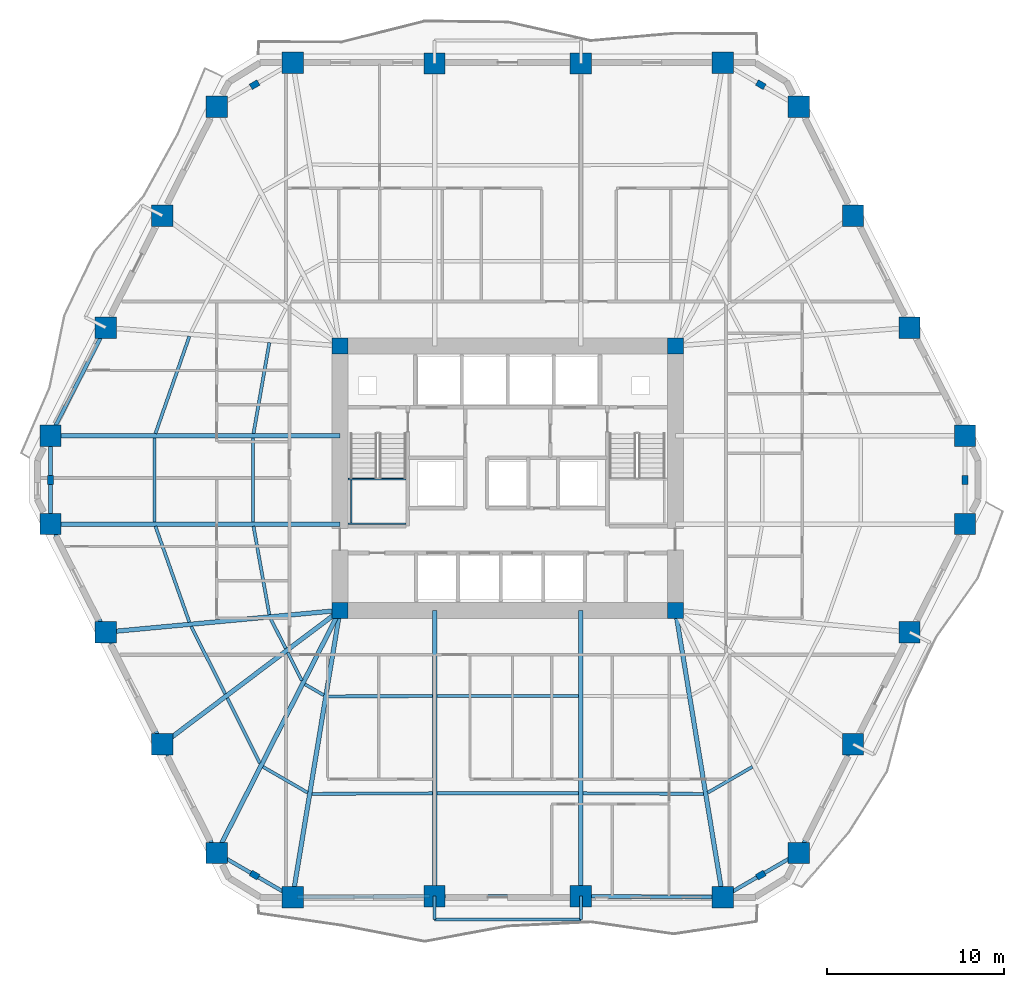
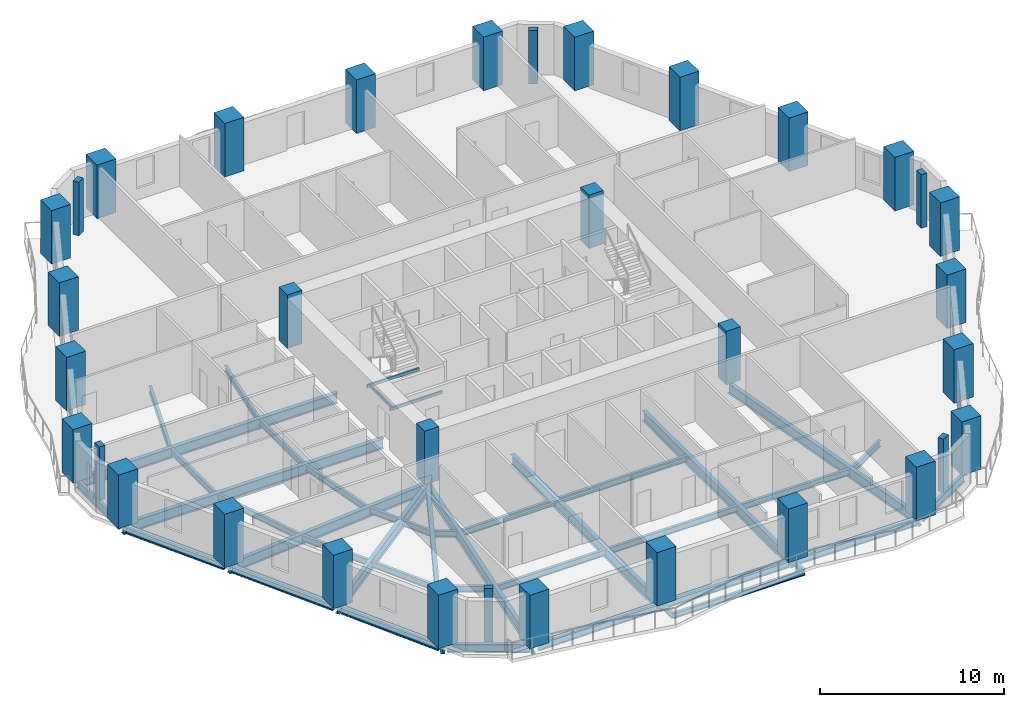
# One storey, part 1 of 12: 44 beams, 34 columns.
"""IFC4 building model written with IfcOpenShell, lengths in metres."""

import ifcopenshell
import ifcopenshell.guid

model = None  # the IFC model being written
_history = None  # IfcOwnerHistory: only IFC2X3 demands one
_inside = {}  # id of a spatial element -> (the spatial element, [elements in it])
_under = {}  # id of a project, library or spatial element -> (it, [spatial elements below it])
_declared = {}  # id of a project -> (the project, [libraries it declares])
_typed = {}  # id of a type object -> (the type object, [elements of that type])
_made_of = {}  # id of a material, layer set ... -> (it, [elements and type objects made of it])


def new_model(schema):
    """Start an empty IFC model of exactly this schema.

    Asked for "IFC4X3", IfcOpenShell would pick the latest addendum, in which some entities
    have other attributes; the version numbers below select the first issue.
    IFC2X3 requires an IfcOwnerHistory on every rooted entity: one is made here for all.
    """
    global model, _history
    if schema == "IFC4X3":
        model = ifcopenshell.file(schema_version=(4, 3, 0, 0))
    else:
        model = ifcopenshell.file(schema=schema)
    _inside.clear()
    _under.clear()
    _declared.clear()
    _typed.clear()
    _made_of.clear()
    _history = None
    if model.schema == "IFC2X3":
        org = make("IfcOrganization", Name="unknown")
        user = make(
            "IfcPersonAndOrganization",
            ThePerson=make("IfcPerson", FamilyName="unknown"),
            TheOrganization=org,
        )
        app = make(
            "IfcApplication",
            ApplicationDeveloper=org,
            Version="unknown",
            ApplicationFullName="unknown",
            ApplicationIdentifier="unknown",
        )
        _history = make(
            "IfcOwnerHistory",
            OwningUser=user,
            OwningApplication=app,
            ChangeAction="ADDED",
            CreationDate=0,
        )
    return model


def make(cls, **values):
    """One entity of the class cls with the attributes given. An attribute that is None is left unset."""
    return model.create_entity(
        cls, **{name: value for name, value in values.items() if value is not None}
    )


def rooted(cls, **values):
    """An entity with a GlobalId (a new one), such as an element, a storey or a relation."""
    return make(cls, GlobalId=ifcopenshell.guid.new(), OwnerHistory=_history, **values)


def si_unit(unit_type, name, prefix=None):
    """IfcSIUnit, for example si_unit("LENGTHUNIT", "METRE", prefix="MILLI")."""
    return make("IfcSIUnit", UnitType=unit_type, Prefix=prefix, Name=name)


def assignment(units):
    """IfcUnitAssignment: the units of a project."""
    return None if units is None else make("IfcUnitAssignment", Units=units)


def point(xyz):
    """IfcCartesianPoint."""
    return None if xyz is None else make("IfcCartesianPoint", Coordinates=xyz)


def direction(xyz):
    """IfcDirection."""
    return None if xyz is None else make("IfcDirection", DirectionRatios=xyz)


def frame(location, z_axis=None, x_axis=None):
    """IfcAxis2Placement3D, a coordinate frame: its origin and axes. An axis left out is left unset."""
    return make(
        "IfcAxis2Placement3D",
        Location=point(location),
        Axis=direction(z_axis),
        RefDirection=direction(x_axis),
    )


def frame_2d(location, x_axis=None):
    """IfcAxis2Placement2D, a coordinate frame in the plane: its origin and x axis."""
    return make(
        "IfcAxis2Placement2D", Location=point(location), RefDirection=direction(x_axis)
    )


def origin():
    """The frame at (0, 0, 0) with its axes left unset."""
    return frame((0.0, 0.0, 0.0))


def origin_2d():
    """The frame at (0, 0) in the plane with its x axis left unset."""
    return frame_2d((0.0, 0.0))


def place(relative_to, where):
    """IfcLocalPlacement: puts the frame where relative to a parent placement (None: the world)."""
    return make(
        "IfcLocalPlacement", PlacementRelTo=relative_to, RelativePlacement=where
    )


def context(
    kind, dimensions, precision=None, world=None, true_north=None, identifier=None
):
    """IfcGeometricRepresentationContext, for example the 3D "Model" context."""
    return make(
        "IfcGeometricRepresentationContext",
        ContextIdentifier=identifier,
        ContextType=kind,
        CoordinateSpaceDimension=dimensions,
        Precision=precision,
        WorldCoordinateSystem=world,
        TrueNorth=true_north,
    )


def subcontext(parent, identifier, kind, view, scale=None):
    """IfcGeometricRepresentationSubContext, for example "Body" below "Model"."""
    return make(
        "IfcGeometricRepresentationSubContext",
        ContextIdentifier=identifier,
        ContextType=kind,
        ParentContext=parent,
        TargetScale=scale,
        TargetView=view,
    )


def project(units=None, contexts=None):
    """IfcProject with its units and contexts."""
    return rooted(
        "IfcProject",
        Name="project",
        RepresentationContexts=contexts,
        UnitsInContext=assignment(units),
    )


def spatial(cls, under=None, at=None, **own):
    """A site, building, storey or space (cls), placed at a placement, below another one or the project."""
    s = rooted(cls, ObjectPlacement=at, **own)
    if under is not None:
        _under.setdefault(under.id(), (under, []))[1].append(s)
    return s


def profile(cls, at=None, kind="AREA", **sizes):
    """A parametric profile (cls). Its sizes go by their IFC names, for example OverallWidth=200.0."""
    return make(cls, ProfileType=kind, Position=at, **sizes)


def rectangle(**sizes):
    """IfcRectangleProfileDef."""
    return profile("IfcRectangleProfileDef", **sizes)


def hollow_rectangle(**sizes):
    """IfcRectangleHollowProfileDef."""
    return profile("IfcRectangleHollowProfileDef", **sizes)


def i_section(**sizes):
    """IfcIShapeProfileDef."""
    return profile("IfcIShapeProfileDef", **sizes)


def extrude(swept, where, along, depth):
    """IfcExtrudedAreaSolid: the profile swept, set in the frame where, extruded along a direction by depth."""
    return make(
        "IfcExtrudedAreaSolid",
        SweptArea=swept,
        Position=where,
        ExtrudedDirection=direction(along),
        Depth=depth,
    )


def shape(context_of_items, identifier, shape_type, items):
    """IfcShapeRepresentation: the items that make up one representation, for example the "Body"."""
    return make(
        "IfcShapeRepresentation",
        ContextOfItems=context_of_items,
        RepresentationIdentifier=identifier,
        RepresentationType=shape_type,
        Items=items,
    )


def material(Name=None, Category=None):
    """IfcMaterial."""
    return make("IfcMaterial", Name=Name, Category=Category)


def material_profile(
    of_material, cross_section, Name=None, Category=None, Priority=None
):
    """IfcMaterialProfile: a cross section and its material."""
    return make(
        "IfcMaterialProfile",
        Name=Name,
        Material=of_material,
        Profile=cross_section,
        Priority=Priority,
        Category=Category,
    )


def profile_set(profiles, Name=None, composite=None):
    """IfcMaterialProfileSet."""
    return make(
        "IfcMaterialProfileSet",
        Name=Name,
        MaterialProfiles=profiles,
        CompositeProfile=composite,
    )


def made_of(thing, what):
    """Note that an element or type object is made of a material, layer set ...; save() writes the relation."""
    if what is not None:
        _made_of.setdefault(what.id(), (what, []))[1].append(thing)
    return thing


def type_object(cls, material=None, **own):
    """A type object (cls), such as IfcWallType, which elements share."""
    return made_of(rooted(cls, **own), material)


def element(
    cls,
    number,
    at=None,
    inside=None,
    cuts=None,
    type_object=None,
    material=None,
    context=None,
    identifier="Body",
    shape_type=None,
    held_by="IfcProductDefinitionShape",
    body=None,
    shapes=None,
    **own,
):
    """One element of the class cls, such as IfcWall. Its Tag is "e" and its number.

    at: its placement. inside: the storey or other place that contains it. cuts: it is an
    opening in that element (IfcRelVoidsElement). A single representation is given by context,
    identifier, shape_type and body (its items); several are given by shapes. held_by: the class
    of the entity that holds the representations. save() writes the other relations.
    """
    e = rooted(cls, Tag="e%d" % number, ObjectPlacement=at, **own)
    if body is not None:
        shapes = [shape(context, identifier, shape_type, body)]
    if shapes is not None:
        e.Representation = make(held_by, Representations=shapes)
    if inside is not None:
        _inside.setdefault(inside.id(), (inside, []))[1].append(e)
    if cuts is not None:
        rooted(
            "IfcRelVoidsElement", RelatingBuildingElement=cuts, RelatedOpeningElement=e
        )
    if type_object is not None:
        _typed.setdefault(type_object.id(), (type_object, []))[1].append(e)
    return made_of(e, material)


def aggregate(whole, parts):
    """IfcRelAggregates: a whole, such as a stair, and the parts it consists of."""
    return rooted("IfcRelAggregates", RelatingObject=whole, RelatedObjects=parts)


def save(model, path):
    """Write the relations noted so far, then the file.

    IfcRelAggregates (storeys below a building ...), IfcRelContainedInSpatialStructure (elements
    in a storey), IfcRelDefinesByType, IfcRelAssociatesMaterial and IfcRelDeclares: one each for
    every whole, place, type object, material and project.
    """
    for whole, parts in _under.values():
        aggregate(whole, parts)
    for where, things in _inside.values():
        rooted(
            "IfcRelContainedInSpatialStructure",
            RelatedElements=things,
            RelatingStructure=where,
        )
    for kind, things in _typed.values():
        rooted("IfcRelDefinesByType", RelatedObjects=things, RelatingType=kind)
    for what, things in _made_of.values():
        rooted("IfcRelAssociatesMaterial", RelatedObjects=things, RelatingMaterial=what)
    for by, libraries in _declared.values():
        rooted("IfcRelDeclares", RelatingContext=by, RelatedDefinitions=libraries)
    model.write(path)


model = new_model("IFC4")

# Units and contexts
model_context = context("Model", 3, precision=1e-05, world=origin(), true_north=direction((0.0, 1.0)))
body_context = subcontext(model_context, "Body", "Model", "MODEL_VIEW")
ifc_project = project(units=[si_unit("LENGTHUNIT", "METRE"), si_unit("AREAUNIT", "SQUARE_METRE"), si_unit("VOLUMEUNIT", "CUBIC_METRE"), si_unit("PLANEANGLEUNIT", "RADIAN"), si_unit("MASSUNIT", "GRAM", prefix="KILO")], contexts=[model_context])

# Site, building, storey
site_placement = place(None, origin())
site = spatial("IfcSite", under=ifc_project, at=site_placement, CompositionType="ELEMENT")
building_placement = place(site_placement, origin())
building = spatial("IfcBuilding", under=site, at=building_placement, Name="Cinnabar Lancet Tower", CompositionType="ELEMENT")
storey_placement = place(building_placement, frame((0.0, 0.0, 28.449951171875)))
storey = spatial("IfcBuildingStorey", under=building, at=storey_placement, Name="L06", CompositionType="ELEMENT", Elevation=28.449951171875)

# Columns
ifc_material_1 = material(Name="Concrete C80/95", Category="concrete")
ifc_material_profile_1 = material_profile(ifc_material_1, rectangle(XDim=0.89990234375, YDim=0.89990234375, at=origin_2d()), Name="RC-COL 900x900")
ifc_profile_set_1 = profile_set([ifc_material_profile_1], Name="Concrete C80/95")
column_type_1 = type_object("IfcColumnType", Name="STR-COL-CORE-900", PredefinedType="COLUMN", material=ifc_profile_set_1)
for number, where, z_axis, x_axis, name in (
    (1, (22.949951171875, 18.449951171875, 0.0), (0.0, 0.0, 1.0), (1.0, 0.0, 0.0), "L06 Core Corner Column SW"),
    (2, (41.85009765625, 18.449951171875, 0.0), (0.0, 0.0, 1.0), (1.0, 0.0, 0.0), "L06 Core Corner Column SE"),
    (3, (41.85009765625, 33.35009765625, 0.0), (0.0, 0.0, 1.0), (1.0, 0.0, 0.0), "L06 Core Corner Column NE"),
    (4, (22.949951171875, 33.35009765625, 0.0), (0.0, 0.0, 1.0), (1.0, 0.0, 0.0), "L06 Core Corner Column NW"),
):
    element("IfcColumn", number, at=place(storey_placement, frame(where, z_axis=z_axis, x_axis=x_axis)), inside=storey, type_object=column_type_1, Name=name, PredefinedType="COLUMN", context=body_context, shape_type="SweptSolid", body=[
        extrude(rectangle(XDim=0.89990234375, YDim=0.89990234375, at=origin_2d()), origin(), (0.0, 0.0, 1.0), 3.550048828125),
    ])
ifc_material_2 = material(Name="Concrete C60/75", Category="concrete")
ifc_material_profile_2 = material_profile(ifc_material_2, rectangle(XDim=0.5, YDim=0.35009765625, at=origin_2d()), Name="RC-PIL 500x350")
ifc_profile_set_2 = profile_set([ifc_material_profile_2], Name="Concrete C60/75")
column_type_2 = type_object("IfcColumnType", Name="STR-COL-PIL-500", PredefinedType="PILASTER", material=ifc_profile_set_2)
for number, where, z_axis, x_axis, name in (
    (5, (18.139892578125, 3.531005859375, 0.0), (0.0, 0.0, 1.0), (0.865195182343, -0.501435236546, 0.0), "L06 Chamfered Corner Pilaster 1"),
    (6, (46.659912109375, 3.531005859375, 0.0), (0.0, 0.0, 1.0), (0.865195182343, 0.501435236546, 0.0), "L06 Chamfered Corner Pilaster 2"),
    (7, (58.16796875, 25.800048828125, 0.0), (0.0, 0.0, 1.0), (0.0, 1.0, 0.0), "L06 Chamfered Corner Pilaster 3"),
    (8, (46.659912109375, 48.069091796875, 0.0), (0.0, 0.0, 1.0), (-0.865195182343, 0.501435236546, 0.0), "L06 Chamfered Corner Pilaster 4"),
    (9, (18.139892578125, 48.069091796875, 0.0), (0.0, 0.0, 1.0), (-0.865195182343, -0.501435236546, 0.0), "L06 Chamfered Corner Pilaster 5"),
    (10, (6.632080078125, 25.800048828125, 0.0), (0.0, 0.0, 1.0), (0.0, -1.0, 0.0), "L06 Chamfered Corner Pilaster 6"),
):
    element("IfcColumn", number, at=place(storey_placement, frame(where, z_axis=z_axis, x_axis=x_axis)), inside=storey, type_object=column_type_2, Name=name, PredefinedType="PILASTER", context=body_context, shape_type="SweptSolid", body=[
        extrude(rectangle(XDim=0.5, YDim=0.35009765625, at=origin_2d()), origin(), (0.0, 0.0, 1.0), 3.550048828125),
    ])
ifc_material_3 = material(Name="Concrete C80/95", Category="concrete")
ifc_material_profile_3 = material_profile(ifc_material_3, rectangle(XDim=1.199951171875, YDim=1.199951171875, at=origin_2d()), Name="RC-COL 1200x1200")
ifc_profile_set_3 = profile_set([ifc_material_profile_3], Name="Concrete C80/95")
column_type_3 = type_object("IfcColumnType", Name="STR-COL-TUBE-1200", PredefinedType="COLUMN", material=ifc_profile_set_3)
for number, where, z_axis, x_axis, name in (
    (11, (20.282958984375, 2.2890625, 0.0), (0.0, 0.0, 1.0), (1.0, 0.0, 0.0), "L06 Perimeter Tube Column 1"),
    (12, (28.278076171875, 2.342041015625, 0.0), (0.0, 0.0, 1.0), (1.0, 0.0, 0.0), "L06 Perimeter Tube Column 2"),
    (13, (36.52197265625, 2.342041015625, 0.0), (0.0, 0.0, 1.0), (1.0, 0.0, 0.0), "L06 Perimeter Tube Column 3"),
    (14, (44.51708984375, 2.2890625, 0.0), (0.0, 0.0, 1.0), (1.0, 0.0, 0.0), "L06 Perimeter Tube Column 4"),
    (15, (48.802978515625, 4.77294921875, 0.0), (0.0, 0.0, 1.0), (1.0, 0.0, 0.0), "L06 Perimeter Tube Column 5"),
    (16, (51.85888671875, 10.908935546875, 0.0), (0.0, 0.0, 1.0), (1.0, 0.0, 0.0), "L06 Perimeter Tube Column 6"),
    (17, (55.0458984375, 17.219970703125, 0.0), (0.0, 0.0, 1.0), (1.0, 0.0, 0.0), "L06 Perimeter Tube Column 7"),
    (18, (58.16796875, 23.31396484375, 0.0), (0.0, 0.0, 1.0), (1.0, 0.0, 0.0), "L06 Perimeter Tube Column 8"),
    (19, (58.16796875, 28.285888671875, 0.0), (0.0, 0.0, 1.0), (1.0, 0.0, 0.0), "L06 Perimeter Tube Column 9"),
    (20, (55.0458984375, 34.3798828125, 0.0), (0.0, 0.0, 1.0), (1.0, 0.0, 0.0), "L06 Perimeter Tube Column 10"),
    (21, (51.85888671875, 40.69091796875, 0.0), (0.0, 0.0, 1.0), (1.0, 0.0, 0.0), "L06 Perimeter Tube Column 11"),
    (22, (48.802978515625, 46.826904296875, 0.0), (0.0, 0.0, 1.0), (1.0, 0.0, 0.0), "L06 Perimeter Tube Column 12"),
    (23, (44.51708984375, 49.31103515625, 0.0), (0.0, 0.0, 1.0), (1.0, 0.0, 0.0), "L06 Perimeter Tube Column 13"),
    (24, (36.52197265625, 49.258056640625, 0.0), (0.0, 0.0, 1.0), (1.0, 0.0, 0.0), "L06 Perimeter Tube Column 14"),
    (25, (28.278076171875, 49.258056640625, 0.0), (0.0, 0.0, 1.0), (1.0, 0.0, 0.0), "L06 Perimeter Tube Column 15"),
    (26, (20.282958984375, 49.31103515625, 0.0), (0.0, 0.0, 1.0), (1.0, 0.0, 0.0), "L06 Perimeter Tube Column 16"),
    (27, (15.9970703125, 46.826904296875, 0.0), (0.0, 0.0, 1.0), (1.0, 0.0, 0.0), "L06 Perimeter Tube Column 17"),
    (28, (12.94091796875, 40.69091796875, 0.0), (0.0, 0.0, 1.0), (1.0, 0.0, 0.0), "L06 Perimeter Tube Column 18"),
    (29, (9.75390625, 34.3798828125, 0.0), (0.0, 0.0, 1.0), (1.0, 0.0, 0.0), "L06 Perimeter Tube Column 19"),
    (30, (6.632080078125, 28.285888671875, 0.0), (0.0, 0.0, 1.0), (1.0, 0.0, 0.0), "L06 Perimeter Tube Column 20"),
    (31, (6.632080078125, 23.31396484375, 0.0), (0.0, 0.0, 1.0), (1.0, 0.0, 0.0), "L06 Perimeter Tube Column 21"),
    (32, (9.75390625, 17.219970703125, 0.0), (0.0, 0.0, 1.0), (1.0, 0.0, 0.0), "L06 Perimeter Tube Column 22"),
    (33, (12.94091796875, 10.908935546875, 0.0), (0.0, 0.0, 1.0), (1.0, 0.0, 0.0), "L06 Perimeter Tube Column 23"),
    (34, (15.9970703125, 4.77294921875, 0.0), (0.0, 0.0, 1.0), (1.0, 0.0, 0.0), "L06 Perimeter Tube Column 24"),
):
    element("IfcColumn", number, at=place(storey_placement, frame(where, z_axis=z_axis, x_axis=x_axis)), inside=storey, type_object=column_type_3, Name=name, PredefinedType="COLUMN", context=body_context, shape_type="SweptSolid", body=[
        extrude(rectangle(XDim=1.199951171875, YDim=1.199951171875, at=origin_2d()), origin(), (0.0, 0.0, 1.0), 3.550048828125),
    ])

# Beams
ifc_material_4 = material(Name="Structural steel S355", Category="steel")
ifc_material_profile_4 = material_profile(ifc_material_4, i_section(OverallWidth=0.177978515625, OverallDepth=0.406494140625, WebThickness=0.0078125, FlangeThickness=0.0126953125, FilletRadius=0.01025390625, at=origin_2d()), Name="UKB 406x178x60")
ifc_profile_set_4 = profile_set([ifc_material_profile_4], Name="Structural steel S355")
beam_type_1 = type_object("IfcBeamType", Name="STR-BM-JST-406", PredefinedType="JOIST", material=ifc_profile_set_4)
beam_1_placement = place(storey_placement, frame((12.551025390625, 23.18701171875, -0.4228515625), z_axis=(0.333384030214, -0.942791115995, 0.0), x_axis=(0.942791115995, 0.333384030214, 0.0)))
element("IfcBeam", 35, at=beam_1_placement, inside=storey, type_object=beam_type_1, Name="L06 Secondary Floor Joist 1", PredefinedType="JOIST", context=body_context, shape_type="SweptSolid", body=[
    extrude(i_section(OverallWidth=0.177978515625, OverallDepth=0.406494140625, WebThickness=0.0078125, FlangeThickness=0.0126953125, FilletRadius=0.01025390625, at=origin_2d()), origin(), (0.0, 0.0, 1.0), 5.728759765625),
])
beam_2_placement = place(storey_placement, frame((18.076904296875, 23.18701171875, -0.4228515625), z_axis=(0.176294913937, -0.984337393031, 0.0), x_axis=(0.984337393031, 0.176294913937, 0.0)))
element("IfcBeam", 36, at=beam_2_placement, inside=storey, type_object=beam_type_1, Name="L06 Secondary Floor Joist 2", PredefinedType="JOIST", context=body_context, shape_type="SweptSolid", body=[
    extrude(i_section(OverallWidth=0.177978515625, OverallDepth=0.406494140625, WebThickness=0.0078125, FlangeThickness=0.0126953125, FilletRadius=0.01025390625, at=origin_2d()), origin(), (0.0, 0.0, 1.0), 5.060302734375),
])
beam_3_placement = place(storey_placement, frame((14.56591796875, 17.541015625, -0.4228515625), z_axis=(0.450809572228, -0.892620148545, 0.0), x_axis=(0.892620148545, 0.450809572228, 0.0)))
element("IfcBeam", 37, at=beam_3_placement, inside=storey, type_object=beam_type_1, Name="L06 Secondary Floor Joist 3", PredefinedType="JOIST", context=body_context, shape_type="SweptSolid", body=[
    extrude(i_section(OverallWidth=0.177978515625, OverallDepth=0.406494140625, WebThickness=0.0078125, FlangeThickness=0.0126953125, FilletRadius=0.01025390625, at=origin_2d()), origin(), (0.0, 0.0, 1.0), 4.25927734375),
])
beam_4_placement = place(storey_placement, frame((19.052978515625, 17.958984375, -0.4228515625), z_axis=(0.450632179195, -0.892709717139, 0.0), x_axis=(0.892709717139, 0.450632179195, 0.0)))
element("IfcBeam", 38, at=beam_4_placement, inside=storey, type_object=beam_type_1, Name="L06 Secondary Floor Joist 4", PredefinedType="JOIST", context=body_context, shape_type="SweptSolid", body=[
    extrude(i_section(OverallWidth=0.177978515625, OverallDepth=0.406494140625, WebThickness=0.0078125, FlangeThickness=0.0126953125, FilletRadius=0.01025390625, at=origin_2d()), origin(), (0.0, 0.0, 1.0), 1.85498046875),
])
beam_5_placement = place(storey_placement, frame((16.60205078125, 13.508056640625, -0.4228515625), z_axis=(0.445807799253, -0.895128709251, 0.0), x_axis=(0.895128709251, 0.445807799253, 0.0)))
element("IfcBeam", 39, at=beam_5_placement, inside=storey, type_object=beam_type_1, Name="L06 Secondary Floor Joist 5", PredefinedType="JOIST", context=body_context, shape_type="SweptSolid", body=[
    extrude(i_section(OverallWidth=0.177978515625, OverallDepth=0.406494140625, WebThickness=0.0078125, FlangeThickness=0.0126953125, FilletRadius=0.01025390625, at=origin_2d()), origin(), (0.0, 0.0, 1.0), 4.10009765625),
])
beam_6_placement = place(storey_placement, frame((20.0048828125, 16.072021484375, -0.4228515625), z_axis=(0.445888683384, -0.895088421347, 0.0), x_axis=(0.895088421347, 0.445888683384, 0.0)))
element("IfcBeam", 40, at=beam_6_placement, inside=storey, type_object=beam_type_1, Name="L06 Secondary Floor Joist 6", PredefinedType="JOIST", context=body_context, shape_type="SweptSolid", body=[
    extrude(i_section(OverallWidth=0.177978515625, OverallDepth=0.406494140625, WebThickness=0.0078125, FlangeThickness=0.0126953125, FilletRadius=0.01025390625, at=origin_2d()), origin(), (0.0, 0.0, 1.0), 1.76953125),
])
beam_7_placement = place(storey_placement, frame((18.610107421875, 9.633056640625, -0.4228515625), z_axis=(0.865209684948, -0.501410212373, 0.0), x_axis=(0.501410212373, 0.865209684948, 0.0)))
element("IfcBeam", 41, at=beam_7_placement, inside=storey, type_object=beam_type_1, Name="L06 Secondary Floor Joist 7", PredefinedType="JOIST", context=body_context, shape_type="SweptSolid", body=[
    extrude(i_section(OverallWidth=0.177978515625, OverallDepth=0.406494140625, WebThickness=0.0078125, FlangeThickness=0.0126953125, FilletRadius=0.01025390625, at=origin_2d()), origin(), (0.0, 0.0, 1.0), 2.90771484375),
])
beam_8_placement = place(storey_placement, frame((20.97412109375, 14.282958984375, -0.4228515625), z_axis=(0.865417177575, -0.50105200205, 0.0), x_axis=(0.50105200205, 0.865417177575, 0.0)))
element("IfcBeam", 42, at=beam_8_placement, inside=storey, type_object=beam_type_1, Name="L06 Secondary Floor Joist 8", PredefinedType="JOIST", context=body_context, shape_type="SweptSolid", body=[
    extrude(i_section(OverallWidth=0.177978515625, OverallDepth=0.406494140625, WebThickness=0.0078125, FlangeThickness=0.0126953125, FilletRadius=0.01025390625, at=origin_2d()), origin(), (0.0, 0.0, 1.0), 1.223388671875),
])
beam_9_placement = place(storey_placement, frame((21.3720703125, 8.10791015625, -0.4228515625), z_axis=(0.999988870422, 0.004717947923, 0.0), x_axis=(-0.004717947923, 0.999988870422, 0.0)))
element("IfcBeam", 43, at=beam_9_placement, inside=storey, type_object=beam_type_1, Name="L06 Secondary Floor Joist 9", PredefinedType="JOIST", context=body_context, shape_type="SweptSolid", body=[
    extrude(i_section(OverallWidth=0.177978515625, OverallDepth=0.406494140625, WebThickness=0.0078125, FlangeThickness=0.0126953125, FilletRadius=0.01025390625, at=origin_2d()), origin(), (0.0, 0.0, 1.0), 6.77880859375),
])
beam_10_placement = place(storey_placement, frame((22.279052734375, 13.60205078125, -0.4228515625), z_axis=(0.999996783665, 0.00253626892, 0.0), x_axis=(-0.00253626892, 0.999996783665, 0.0)))
element("IfcBeam", 44, at=beam_10_placement, inside=storey, type_object=beam_type_1, Name="L06 Secondary Floor Joist 10", PredefinedType="JOIST", context=body_context, shape_type="SweptSolid", body=[
    extrude(i_section(OverallWidth=0.177978515625, OverallDepth=0.406494140625, WebThickness=0.0078125, FlangeThickness=0.0126953125, FilletRadius=0.01025390625, at=origin_2d()), origin(), (0.0, 0.0, 1.0), 5.871826171875),
])
for number, where, z_axis, x_axis, name in (
    (45, (28.405029296875, 8.14111328125, -0.4228515625), (1.0, 0.0, 0.0), (0.0, 1.0, 0.0), "L06 Secondary Floor Joist 11"),
    (46, (28.405029296875, 13.617919921875, -0.4228515625), (1.0, 0.0, 0.0), (0.0, 1.0, 0.0), "L06 Secondary Floor Joist 12"),
):
    element("IfcBeam", number, at=place(storey_placement, frame(where, z_axis=z_axis, x_axis=x_axis)), inside=storey, type_object=beam_type_1, Name=name, PredefinedType="JOIST", context=body_context, shape_type="SweptSolid", body=[
        extrude(i_section(OverallWidth=0.177978515625, OverallDepth=0.406494140625, WebThickness=0.0078125, FlangeThickness=0.0126953125, FilletRadius=0.01025390625, at=origin_2d()), origin(), (0.0, 0.0, 1.0), 7.989990234375),
    ])
beam_11_placement = place(storey_placement, frame((36.64892578125, 8.139892578125, -0.4228515625), z_axis=(0.999988871223, -0.004717778015, 0.0), x_axis=(0.004717778015, 0.999988871223, 0.0)))
element("IfcBeam", 47, at=beam_11_placement, inside=storey, type_object=beam_type_1, Name="L06 Secondary Floor Joist 13", PredefinedType="JOIST", context=body_context, shape_type="SweptSolid", body=[
    extrude(i_section(OverallWidth=0.177978515625, OverallDepth=0.406494140625, WebThickness=0.0078125, FlangeThickness=0.0126953125, FilletRadius=0.01025390625, at=origin_2d()), origin(), (0.0, 0.0, 1.0), 6.779052734375),
])
beam_12_placement = place(storey_placement, frame((43.674072265625, 8.175048828125, -0.4228515625), z_axis=(0.865209684948, 0.501410212373, 0.0), x_axis=(-0.501410212373, 0.865209684948, 0.0)))
element("IfcBeam", 48, at=beam_12_placement, inside=storey, type_object=beam_type_1, Name="L06 Secondary Floor Joist 15", PredefinedType="JOIST", context=body_context, shape_type="SweptSolid", body=[
    extrude(i_section(OverallWidth=0.177978515625, OverallDepth=0.406494140625, WebThickness=0.0078125, FlangeThickness=0.0126953125, FilletRadius=0.01025390625, at=origin_2d()), origin(), (0.0, 0.0, 1.0), 2.90771484375),
])
beam_13_placement = place(storey_placement, frame((14.4609375, 33.885009765625, -0.4228515625), z_axis=(-0.329541584143, -0.944141061664, 0.0), x_axis=(0.944141061664, -0.329541584143, 0.0)))
element("IfcBeam", 49, at=beam_13_placement, inside=storey, type_object=beam_type_1, Name="L06 Secondary Floor Joist 45", PredefinedType="JOIST", context=body_context, shape_type="SweptSolid", body=[
    extrude(i_section(OverallWidth=0.177978515625, OverallDepth=0.406494140625, WebThickness=0.0078125, FlangeThickness=0.0126953125, FilletRadius=0.01025390625, at=origin_2d()), origin(), (0.0, 0.0, 1.0), 5.795654296875),
])
beam_14_placement = place(storey_placement, frame((18.968994140625, 33.532958984375, -0.4228515625), z_axis=(-0.17165440437, -0.985157228802, 0.0), x_axis=(0.985157228802, -0.17165440437, 0.0)))
element("IfcBeam", 50, at=beam_14_placement, inside=storey, type_object=beam_type_1, Name="L06 Secondary Floor Joist 46", PredefinedType="JOIST", context=body_context, shape_type="SweptSolid", body=[
    extrude(i_section(OverallWidth=0.177978515625, OverallDepth=0.406494140625, WebThickness=0.0078125, FlangeThickness=0.0126953125, FilletRadius=0.01025390625, at=origin_2d()), origin(), (0.0, 0.0, 1.0), 5.197021484375),
])
for number, where, z_axis, x_axis, name in (
    (51, (12.506103515625, 28.158935546875, -0.4228515625), (0.0, -1.0, 0.0), (1.0, 0.0, 0.0), "L06 Secondary Floor Joist 47"),
    (52, (18.054931640625, 28.158935546875, -0.4228515625), (0.0, -1.0, 0.0), (1.0, 0.0, 0.0), "L06 Secondary Floor Joist 48"),
):
    element("IfcBeam", number, at=place(storey_placement, frame(where, z_axis=z_axis, x_axis=x_axis)), inside=storey, type_object=beam_type_1, Name=name, PredefinedType="JOIST", context=body_context, shape_type="SweptSolid", body=[
        extrude(i_section(OverallWidth=0.177978515625, OverallDepth=0.406494140625, WebThickness=0.0078125, FlangeThickness=0.0126953125, FilletRadius=0.01025390625, at=origin_2d()), origin(), (0.0, 0.0, 1.0), 4.718017578125),
    ])
ifc_material_5 = material(Name="Structural steel S355", Category="steel")
ifc_material_profile_5 = material_profile(ifc_material_5, hollow_rectangle(XDim=0.10009765625, YDim=0.199951171875, WallThickness=0.008056640625, InnerFilletRadius=0.00390625, OuterFilletRadius=0.011962890625, at=origin_2d()), Name="RHS 200x100x8")
ifc_profile_set_5 = profile_set([ifc_material_profile_5], Name="Structural steel S355")
beam_type_2 = type_object("IfcBeamType", Name="STR-BM-LND-203", PredefinedType="BEAM", material=ifc_profile_set_5)
for number, where, z_axis, x_axis, name in (
    (53, (23.39990234375, 23.330078125, 1.47509765625), (1.0, 0.0, 0.0), (0.0, 1.0, 0.0), "L06 ST-1-L06 Landing Support Beam S"),
    (54, (23.39990234375, 25.844970703125, 1.47509765625), (1.0, 0.0, 0.0), (0.0, 1.0, 0.0), "L06 ST-1-L06 Landing Support Beam N"),
):
    element("IfcBeam", number, at=place(storey_placement, frame(where, z_axis=z_axis, x_axis=x_axis)), inside=storey, type_object=beam_type_2, Name=name, PredefinedType="BEAM", context=body_context, shape_type="SweptSolid", body=[
        extrude(hollow_rectangle(XDim=0.10009765625, YDim=0.199951171875, WallThickness=0.008056640625, InnerFilletRadius=0.00390625, OuterFilletRadius=0.011962890625, at=origin_2d()), origin(), (0.0, 0.0, 1.0), 3.280029296875),
    ])
beam_15_placement = place(storey_placement, frame((23.580078125, 23.3798828125, 1.47509765625), z_axis=(0.0, 1.0, 0.0), x_axis=(-1.0, 0.0, 0.0)))
element("IfcBeam", 55, at=beam_15_placement, inside=storey, type_object=beam_type_2, Name="L06 ST-1-L06 Landing Side Trimmer Beam", PredefinedType="BEAM", context=body_context, shape_type="SweptSolid", body=[
    extrude(hollow_rectangle(XDim=0.10009765625, YDim=0.199951171875, WallThickness=0.008056640625, InnerFilletRadius=0.00390625, OuterFilletRadius=0.011962890625, at=origin_2d()), origin(), (0.0, 0.0, 1.0), 2.4150390625),
])
ifc_material_6 = material(Name="Structural steel S355", Category="steel")
ifc_material_profile_6 = material_profile(ifc_material_6, i_section(OverallWidth=0.209228515625, OverallDepth=0.533203125, WebThickness=0.010009765625, FlangeThickness=0.015625, FilletRadius=0.0126953125, at=origin_2d()), Name="UKB 533x210x92")
ifc_profile_set_6 = profile_set([ifc_material_profile_6], Name="Structural steel S355")
beam_type_3 = type_object("IfcBeamType", Name="STR-BM-SPN-533", PredefinedType="SPANDREL", material=ifc_profile_set_6)
beam_16_placement = place(storey_placement, frame((20.532958984375, 2.291015625, -0.487060546875), z_axis=(0.99997856757, 0.006547090947, 0.0), x_axis=(-0.006547090947, 0.99997856757, 0.0)))
element("IfcBeam", 56, at=beam_16_placement, inside=storey, type_object=beam_type_3, Name="L06 Perimeter Spandrel 1", PredefinedType="SPANDREL", context=body_context, shape_type="SweptSolid", body=[
    extrude(i_section(OverallWidth=0.209228515625, OverallDepth=0.533203125, WebThickness=0.010009765625, FlangeThickness=0.015625, FilletRadius=0.0126953125, at=origin_2d()), origin(), (0.0, 0.0, 1.0), 7.495361328125),
])
beam_17_placement = place(storey_placement, frame((28.528076171875, 2.342041015625, -0.487060546875), z_axis=(1.0, 0.0, 0.0), x_axis=(0.0, 1.0, 0.0)))
element("IfcBeam", 57, at=beam_17_placement, inside=storey, type_object=beam_type_3, Name="L06 Perimeter Spandrel 2", PredefinedType="SPANDREL", context=body_context, shape_type="SweptSolid", body=[
    extrude(i_section(OverallWidth=0.209228515625, OverallDepth=0.533203125, WebThickness=0.010009765625, FlangeThickness=0.015625, FilletRadius=0.0126953125, at=origin_2d()), origin(), (0.0, 0.0, 1.0), 7.743896484375),
])
beam_18_placement = place(storey_placement, frame((36.77197265625, 2.340087890625, -0.487060546875), z_axis=(0.99997856757, -0.006547090947, 0.0), x_axis=(0.006547090947, 0.99997856757, 0.0)))
element("IfcBeam", 58, at=beam_18_placement, inside=storey, type_object=beam_type_3, Name="L06 Perimeter Spandrel 3", PredefinedType="SPANDREL", context=body_context, shape_type="SweptSolid", body=[
    extrude(i_section(OverallWidth=0.209228515625, OverallDepth=0.533203125, WebThickness=0.010009765625, FlangeThickness=0.015625, FilletRadius=0.0126953125, at=origin_2d()), origin(), (0.0, 0.0, 1.0), 7.495361328125),
])
beam_19_placement = place(storey_placement, frame((44.73291015625, 2.4140625, -0.487060546875), z_axis=(0.865171017323, 0.501476929463, 0.0), x_axis=(-0.501476929463, 0.865171017323, 0.0)))
element("IfcBeam", 59, at=beam_19_placement, inside=storey, type_object=beam_type_3, Name="L06 Perimeter Spandrel 4", PredefinedType="SPANDREL", context=body_context, shape_type="SweptSolid", body=[
    extrude(i_section(OverallWidth=0.209228515625, OverallDepth=0.533203125, WebThickness=0.010009765625, FlangeThickness=0.015625, FilletRadius=0.0126953125, at=origin_2d()), origin(), (0.0, 0.0, 1.0), 4.45458984375),
])
beam_20_placement = place(storey_placement, frame((48.9140625, 4.9970703125, -0.487060546875), z_axis=(0.445953050023, 0.89505635419, 0.0), x_axis=(-0.89505635419, 0.445953050023, 0.0)))
element("IfcBeam", 60, at=beam_20_placement, inside=storey, type_object=beam_type_3, Name="L06 Perimeter Spandrel 5", PredefinedType="SPANDREL", context=body_context, shape_type="SweptSolid", body=[
    extrude(i_section(OverallWidth=0.209228515625, OverallDepth=0.533203125, WebThickness=0.010009765625, FlangeThickness=0.015625, FilletRadius=0.0126953125, at=origin_2d()), origin(), (0.0, 0.0, 1.0), 6.35498046875),
])
beam_21_placement = place(storey_placement, frame((9.639892578125, 34.156982421875, -0.487060546875), z_axis=(-0.455994051912, -0.889982822655, 0.0), x_axis=(0.889982822655, -0.455994051912, 0.0)))
element("IfcBeam", 61, at=beam_21_placement, inside=storey, type_object=beam_type_3, Name="L06 Perimeter Spandrel 19", PredefinedType="SPANDREL", context=body_context, shape_type="SweptSolid", body=[
    extrude(i_section(OverallWidth=0.209228515625, OverallDepth=0.533203125, WebThickness=0.010009765625, FlangeThickness=0.015625, FilletRadius=0.0126953125, at=origin_2d()), origin(), (0.0, 0.0, 1.0), 6.34619140625),
])
beam_22_placement = place(storey_placement, frame((6.632080078125, 28.035888671875, -0.487060546875), z_axis=(0.0, -1.0, 0.0), x_axis=(1.0, 0.0, 0.0)))
element("IfcBeam", 62, at=beam_22_placement, inside=storey, type_object=beam_type_3, Name="L06 Perimeter Spandrel 20", PredefinedType="SPANDREL", context=body_context, shape_type="SweptSolid", body=[
    extrude(i_section(OverallWidth=0.209228515625, OverallDepth=0.533203125, WebThickness=0.010009765625, FlangeThickness=0.015625, FilletRadius=0.0126953125, at=origin_2d()), origin(), (0.0, 0.0, 1.0), 4.471923828125),
])
beam_23_placement = place(storey_placement, frame((6.74609375, 23.091064453125, -0.487060546875), z_axis=(0.455994051912, -0.889982822655, 0.0), x_axis=(0.889982822655, 0.455994051912, 0.0)))
element("IfcBeam", 63, at=beam_23_placement, inside=storey, type_object=beam_type_3, Name="L06 Perimeter Spandrel 21", PredefinedType="SPANDREL", context=body_context, shape_type="SweptSolid", body=[
    extrude(i_section(OverallWidth=0.209228515625, OverallDepth=0.533203125, WebThickness=0.010009765625, FlangeThickness=0.015625, FilletRadius=0.0126953125, at=origin_2d()), origin(), (0.0, 0.0, 1.0), 6.34619140625),
])
beam_24_placement = place(storey_placement, frame((9.866943359375, 16.9970703125, -0.487060546875), z_axis=(0.450673532306, -0.892688841242, 0.0), x_axis=(0.892688841242, 0.450673532306, 0.0)))
element("IfcBeam", 64, at=beam_24_placement, inside=storey, type_object=beam_type_3, Name="L06 Perimeter Spandrel 22", PredefinedType="SPANDREL", context=body_context, shape_type="SweptSolid", body=[
    extrude(i_section(OverallWidth=0.209228515625, OverallDepth=0.533203125, WebThickness=0.010009765625, FlangeThickness=0.015625, FilletRadius=0.0126953125, at=origin_2d()), origin(), (0.0, 0.0, 1.0), 6.570068359375),
])
beam_25_placement = place(storey_placement, frame((13.052001953125, 10.68505859375, -0.487060546875), z_axis=(0.445953050023, -0.89505635419, 0.0), x_axis=(0.89505635419, 0.445953050023, 0.0)))
element("IfcBeam", 65, at=beam_25_placement, inside=storey, type_object=beam_type_3, Name="L06 Perimeter Spandrel 23", PredefinedType="SPANDREL", context=body_context, shape_type="SweptSolid", body=[
    extrude(i_section(OverallWidth=0.209228515625, OverallDepth=0.533203125, WebThickness=0.010009765625, FlangeThickness=0.015625, FilletRadius=0.0126953125, at=origin_2d()), origin(), (0.0, 0.0, 1.0), 6.35498046875),
])
beam_26_placement = place(storey_placement, frame((16.212890625, 4.64794921875, -0.487060546875), z_axis=(0.865171017323, -0.501476929463, 0.0), x_axis=(0.501476929463, 0.865171017323, 0.0)))
element("IfcBeam", 66, at=beam_26_placement, inside=storey, type_object=beam_type_3, Name="L06 Perimeter Spandrel 24", PredefinedType="SPANDREL", context=body_context, shape_type="SweptSolid", body=[
    extrude(i_section(OverallWidth=0.209228515625, OverallDepth=0.533203125, WebThickness=0.010009765625, FlangeThickness=0.015625, FilletRadius=0.0126953125, at=origin_2d()), origin(), (0.0, 0.0, 1.0), 4.45458984375),
])
ifc_material_7 = material(Name="Structural steel S355", Category="steel")
ifc_material_profile_7 = material_profile(ifc_material_7, i_section(OverallWidth=0.253662109375, OverallDepth=0.68359375, WebThickness=0.012451171875, FlangeThickness=0.01904296875, FilletRadius=0.01513671875, at=origin_2d()), Name="UKB 686x254x140")
ifc_profile_set_7 = profile_set([ifc_material_profile_7], Name="Structural steel S355")
beam_type_4 = type_object("IfcBeamType", Name="STR-BM-UKB686-140", PredefinedType="BEAM", material=ifc_profile_set_7)
beam_27_placement = place(storey_placement, frame((12.94091796875, 10.908935546875, -0.56201171875), z_axis=(0.798686588468, 0.601747233812, 0.0), x_axis=(-0.601747233812, 0.798686588468, 0.0)))
element("IfcBeam", 67, at=beam_27_placement, inside=storey, type_object=beam_type_4, Name="L06 Corner Collector Girder 1", PredefinedType="BEAM", context=body_context, shape_type="SweptSolid", body=[
    extrude(i_section(OverallWidth=0.253662109375, OverallDepth=0.68359375, WebThickness=0.012451171875, FlangeThickness=0.01904296875, FilletRadius=0.01513671875, at=origin_2d()), origin(), (0.0, 0.0, 1.0), 12.531982421875),
])
beam_28_placement = place(storey_placement, frame((20.282958984375, 2.2890625, -0.56201171875), z_axis=(0.162825264118, 0.986654921117, 0.0), x_axis=(-0.986654921117, 0.162825264118, 0.0)))
element("IfcBeam", 68, at=beam_28_placement, inside=storey, type_object=beam_type_4, Name="L06 Primary Floor Girder 1", PredefinedType="BEAM", context=body_context, shape_type="SweptSolid", body=[
    extrude(i_section(OverallWidth=0.253662109375, OverallDepth=0.68359375, WebThickness=0.012451171875, FlangeThickness=0.01904296875, FilletRadius=0.01513671875, at=origin_2d()), origin(), (0.0, 0.0, 1.0), 16.37939453125),
])
for number, where, z_axis, x_axis, name in (
    (69, (28.278076171875, 2.342041015625, -0.56201171875), (0.0, 1.0, 0.0), (-1.0, 0.0, 0.0), "L06 Primary Floor Girder 2"),
    (70, (36.52197265625, 2.342041015625, -0.56201171875), (0.0, 1.0, 0.0), (-1.0, 0.0, 0.0), "L06 Primary Floor Girder 3"),
):
    element("IfcBeam", number, at=place(storey_placement, frame(where, z_axis=z_axis, x_axis=x_axis)), inside=storey, type_object=beam_type_4, Name=name, PredefinedType="BEAM", context=body_context, shape_type="SweptSolid", body=[
        extrude(i_section(OverallWidth=0.253662109375, OverallDepth=0.68359375, WebThickness=0.012451171875, FlangeThickness=0.01904296875, FilletRadius=0.01513671875, at=origin_2d()), origin(), (0.0, 0.0, 1.0), 16.10791015625),
    ])
beam_29_placement = place(storey_placement, frame((44.51708984375, 2.2890625, -0.56201171875), z_axis=(-0.162825264118, 0.986654921117, 0.0), x_axis=(-0.986654921117, -0.162825264118, 0.0)))
element("IfcBeam", 71, at=beam_29_placement, inside=storey, type_object=beam_type_4, Name="L06 Primary Floor Girder 4", PredefinedType="BEAM", context=body_context, shape_type="SweptSolid", body=[
    extrude(i_section(OverallWidth=0.253662109375, OverallDepth=0.68359375, WebThickness=0.012451171875, FlangeThickness=0.01904296875, FilletRadius=0.01513671875, at=origin_2d()), origin(), (0.0, 0.0, 1.0), 16.37939453125),
])
for number, where, z_axis, x_axis, name in (
    (72, (6.632080078125, 28.285888671875, -0.56201171875), (1.0, 0.0, 0.0), (0.0, 1.0, 0.0), "L06 Primary Floor Girder 20"),
    (73, (6.632080078125, 23.31396484375, -0.56201171875), (1.0, 0.0, 0.0), (0.0, 1.0, 0.0), "L06 Primary Floor Girder 21"),
):
    element("IfcBeam", number, at=place(storey_placement, frame(where, z_axis=z_axis, x_axis=x_axis)), inside=storey, type_object=beam_type_4, Name=name, PredefinedType="BEAM", context=body_context, shape_type="SweptSolid", body=[
        extrude(i_section(OverallWidth=0.253662109375, OverallDepth=0.68359375, WebThickness=0.012451171875, FlangeThickness=0.01904296875, FilletRadius=0.01513671875, at=origin_2d()), origin(), (0.0, 0.0, 1.0), 16.31787109375),
    ])
beam_30_placement = place(storey_placement, frame((9.75390625, 17.219970703125, -0.56201171875), z_axis=(0.995684210255, 0.092805998987, 0.0), x_axis=(-0.092805998987, 0.995684210255, 0.0)))
element("IfcBeam", 74, at=beam_30_placement, inside=storey, type_object=beam_type_4, Name="L06 Primary Floor Girder 22", PredefinedType="BEAM", context=body_context, shape_type="SweptSolid", body=[
    extrude(i_section(OverallWidth=0.253662109375, OverallDepth=0.68359375, WebThickness=0.012451171875, FlangeThickness=0.01904296875, FilletRadius=0.01513671875, at=origin_2d()), origin(), (0.0, 0.0, 1.0), 13.253173828125),
])
beam_31_placement = place(storey_placement, frame((15.9970703125, 4.77294921875, -0.56201171875), z_axis=(0.453167599586, 0.89142533433, 0.0), x_axis=(-0.89142533433, 0.453167599586, 0.0)))
element("IfcBeam", 75, at=beam_31_placement, inside=storey, type_object=beam_type_4, Name="L06 Primary Floor Girder 24", PredefinedType="BEAM", context=body_context, shape_type="SweptSolid", body=[
    extrude(i_section(OverallWidth=0.253662109375, OverallDepth=0.68359375, WebThickness=0.012451171875, FlangeThickness=0.01904296875, FilletRadius=0.01513671875, at=origin_2d()), origin(), (0.0, 0.0, 1.0), 15.3427734375),
])
ifc_material_8 = material(Name="Structural steel S355", Category="steel")
ifc_material_profile_8 = material_profile(ifc_material_8, i_section(OverallWidth=0.17138671875, OverallDepth=0.35498046875, WebThickness=0.00732421875, FlangeThickness=0.011474609375, FilletRadius=0.01025390625, at=origin_2d()), Name="UKB 356x171x51")
ifc_profile_set_8 = profile_set([ifc_material_profile_8], Name="Structural steel S355")
beam_type_5 = type_object("IfcBeamType", Name="STR-BM-WAV-OUT", PredefinedType="BEAM", material=ifc_profile_set_8)
for number, where, z_axis, x_axis, name in (
    (76, (28.278076171875, 2.342041015625, -0.39697265625), (0.0, -1.0, 0.0), (1.0, 0.0, 0.0), "L06 Face 1 Balcony Outlooker A"),
    (77, (36.52197265625, 2.342041015625, -0.39697265625), (0.0, -1.0, 0.0), (1.0, 0.0, 0.0), "L06 Face 1 Balcony Outlooker B"),
):
    element("IfcBeam", number, at=place(storey_placement, frame(where, z_axis=z_axis, x_axis=x_axis)), inside=storey, type_object=beam_type_5, Name=name, PredefinedType="BEAM", context=body_context, shape_type="SweptSolid", body=[
        extrude(i_section(OverallWidth=0.17138671875, OverallDepth=0.35498046875, WebThickness=0.00732421875, FlangeThickness=0.011474609375, FilletRadius=0.01025390625, at=origin_2d()), origin(), (0.0, 0.0, 1.0), 1.300048828125),
    ])
ifc_material_9 = material(Name="Structural steel S355", Category="steel")
ifc_material_profile_9 = material_profile(ifc_material_9, i_section(OverallWidth=0.17138671875, OverallDepth=0.35498046875, WebThickness=0.00732421875, FlangeThickness=0.011474609375, FilletRadius=0.01025390625, at=origin_2d()), Name="UKB 356x171x51")
ifc_profile_set_9 = profile_set([ifc_material_profile_9], Name="Structural steel S355")
beam_type_6 = type_object("IfcBeamType", Name="STR-BM-WAV-TRIM", PredefinedType="SPANDREL", material=ifc_profile_set_9)
beam_32_placement = place(storey_placement, frame((28.278076171875, 1.0419921875, -0.39697265625), z_axis=(1.0, 0.0, 0.0), x_axis=(0.0, 1.0, 0.0)))
element("IfcBeam", 78, at=beam_32_placement, inside=storey, type_object=beam_type_6, Name="L06 Face 1 Balcony Edge Trimmer", PredefinedType="SPANDREL", context=body_context, shape_type="SweptSolid", body=[
    extrude(i_section(OverallWidth=0.17138671875, OverallDepth=0.35498046875, WebThickness=0.00732421875, FlangeThickness=0.011474609375, FilletRadius=0.01025390625, at=origin_2d()), origin(), (0.0, 0.0, 1.0), 8.243896484375),
])

save(model, "model.ifc")
